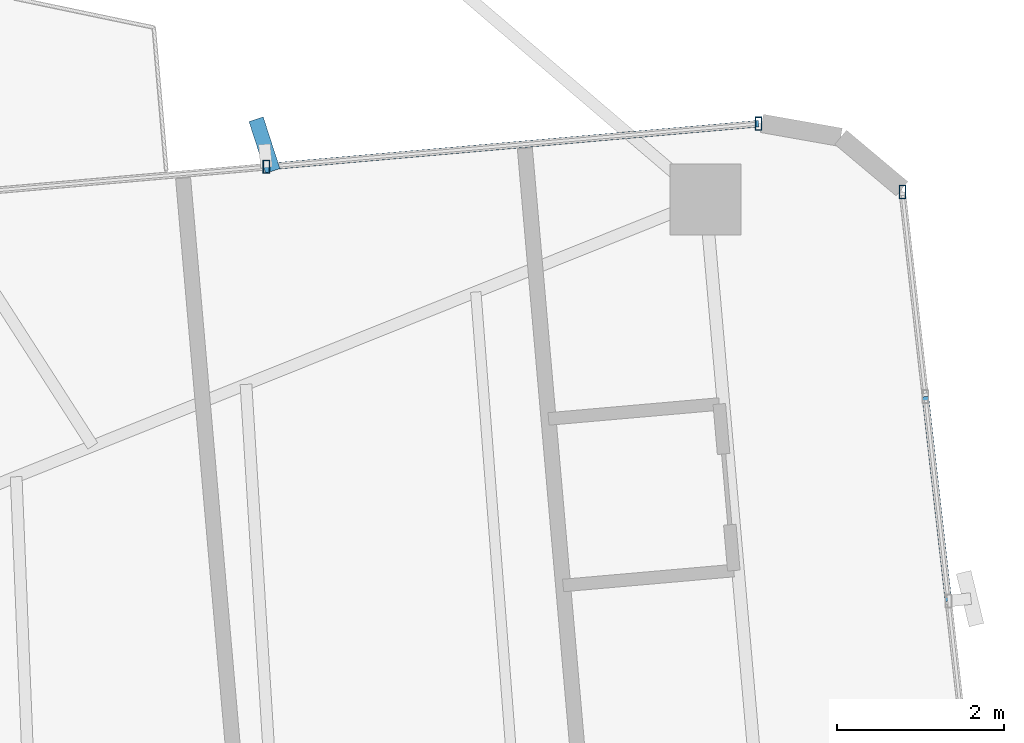
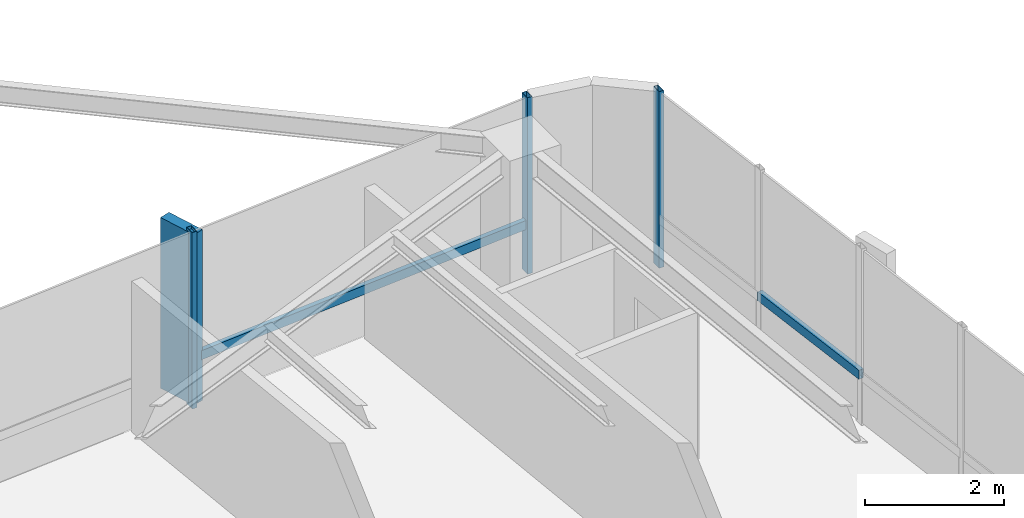
# One storey, part 15 of 24: 6 members, 2 elements without a shape of their own.
"""IFC4 building model written with IfcOpenShell, lengths in metres."""

from ifc_helpers import new_model, si_unit, direction, frame, origin, origin_2d, place, context, subcontext, project, spatial, rectangle, hollow_rectangle, extrude, source, transform, mapped, material, material_profile, profile_set, type_object, element, aggregate, save


model = new_model("IFC4")

# Units and contexts
model_context = context("Model", 3, precision=1e-05, world=origin(), true_north=direction((0.0, 1.0)))
body_context = subcontext(model_context, "Body", "Model", "MODEL_VIEW")
ifc_project = project(units=[si_unit("LENGTHUNIT", "METRE"), si_unit("AREAUNIT", "SQUARE_METRE"), si_unit("VOLUMEUNIT", "CUBIC_METRE"), si_unit("PLANEANGLEUNIT", "RADIAN"), si_unit("MASSUNIT", "GRAM", prefix="KILO")], contexts=[model_context])

# Site, building, storey
site_placement = place(None, origin())
site = spatial("IfcSite", under=ifc_project, at=site_placement, CompositionType="ELEMENT")
building_placement = place(site_placement, origin())
building = spatial("IfcBuilding", under=site, at=building_placement, Name="Sahyath Konkavel Grand Hotel", CompositionType="ELEMENT")
storey_placement = place(building_placement, frame((0.0, 0.0, 181.89990234375)))
storey = spatial("IfcBuildingStorey", under=building, at=storey_placement, Name="L50", CompositionType="ELEMENT", Elevation=181.89990234375)

# Curtain wall, member
ifc_material_1 = material(Name="Anodised Bronze Aluminium & Low-E Glazing", Category="aluminium")
curtain_wall_type = type_object("IfcCurtainWallType", Name="CW-ZONE3", PredefinedType="NOTDEFINED", material=ifc_material_1)
curtain_wall_1_placement = place(storey_placement, origin())
curtain_wall_1 = element("IfcCurtainWall", 1, at=curtain_wall_1_placement, inside=storey, type_object=curtain_wall_type, Name="L50 Unitised Curtain Wall F7", PredefinedType="NOTDEFINED")
ifc_material_2 = material(Name="Warm Buff Sandstone Cladding on Concrete C50/60", Category="masonry")
ifc_material_profile_1 = material_profile(ifc_material_2, rectangle(XDim=0.179931640625, YDim=0.64990234375, at=origin_2d()), Name="FIN 180x650")
ifc_profile_set_1 = profile_set([ifc_material_profile_1], Name="Warm Buff Sandstone Cladding on Concrete C50/60")
member_type_1 = type_object("IfcMemberType", Name="FIN-SANDSTONE-650", PredefinedType="MULLION", material=ifc_profile_set_1)
shared_shape_1 = source(origin(), body_context, "Body", "SweptSolid", [
    extrude(rectangle(XDim=0.179931640625, YDim=0.64990234375, at=origin_2d()), origin(), (0.0, 0.0, 1.0), 3.010009765625),
])
member_1_placement = place(storey_placement, frame((11.677001953125, 7.656982421875, 0.050048828125), z_axis=(0.0, 0.0, 1.0), x_axis=(0.951379596601, 0.308020881065, 0.0)))
member_1 = element("IfcMember", 2, at=member_1_placement, type_object=member_type_1, Name="L50 Sandstone Vertical Solar Fin FIN F7-1", PredefinedType="MULLION", context=body_context, shape_type="MappedRepresentation", body=[
    mapped(shared_shape_1, transform((0.0, 0.0, 0.0), scale=1.0)),
])

curtain_wall_2_placement = place(storey_placement, origin())
curtain_wall_2 = element("IfcCurtainWall", 3, at=curtain_wall_2_placement, inside=storey, type_object=curtain_wall_type, Name="L50 Unitised Curtain Wall F4", PredefinedType="NOTDEFINED")
ifc_material_3 = material(Name="Anodised Bronze Aluminium", Category="aluminium")
ifc_material_profile_2 = material_profile(ifc_material_3, hollow_rectangle(XDim=0.080078125, YDim=0.159912109375, WallThickness=0.006103515625, at=origin_2d()), Name="RHS 160x80x6")
ifc_profile_set_2 = profile_set([ifc_material_profile_2], Name="Anodised Bronze Aluminium")
member_type_2 = type_object("IfcMemberType", Name="CW-MUL-160", PredefinedType="MULLION", material=ifc_profile_set_2)
shared_shape_2 = source(origin(), body_context, "Body", "SweptSolid", [
    extrude(hollow_rectangle(XDim=0.080078125, YDim=0.159912109375, WallThickness=0.006103515625, at=origin_2d()), origin(), (0.0, 0.0, 1.0), 3.110107421875),
])
member_2_placement = place(storey_placement, frame((19.308349609375, 7.094970703125, 0.0), z_axis=(0.0, 0.0, 1.0), x_axis=(1.0, 0.0, 0.0)))
member_2 = element("IfcMember", 4, at=member_2_placement, type_object=member_type_2, Name="L50 Curtain Wall Mullion F4-4", PredefinedType="MULLION", context=body_context, shape_type="MappedRepresentation", body=[
    mapped(shared_shape_2, transform((0.0, 0.0, 0.0), scale=1.0)),
])

# Member
member_3_placement = place(storey_placement, frame((17.58740234375, 7.912841796875, 0.0), z_axis=(0.0, 0.0, 1.0), x_axis=(1.0, 0.0, 0.0)))
member_3 = element("IfcMember", 5, at=member_3_placement, type_object=member_type_2, Name="L50 Curtain Wall Mullion F7-0", PredefinedType="MULLION", context=body_context, shape_type="MappedRepresentation", body=[
    mapped(shared_shape_2, transform((0.0, 0.0, 0.0), scale=1.0)),
])

member_4_placement = place(storey_placement, frame((11.69970703125, 7.39794921875, 0.0), z_axis=(0.0, 0.0, 1.0), x_axis=(1.0, 0.0, 0.0)))
member_4 = element("IfcMember", 6, at=member_4_placement, type_object=member_type_2, Name="L50 Curtain Wall Mullion F7-1", PredefinedType="MULLION", context=body_context, shape_type="MappedRepresentation", body=[
    mapped(shared_shape_2, transform((0.0, 0.0, 0.0), scale=1.0)),
])

ifc_material_profile_3 = material_profile(ifc_material_3, hollow_rectangle(XDim=0.080078125, YDim=0.159912109375, WallThickness=0.006103515625, at=origin_2d()), Name="RHS 160x80x6")
ifc_profile_set_3 = profile_set([ifc_material_profile_3], Name="Anodised Bronze Aluminium")
member_type_3 = type_object("IfcMemberType", Name="CW-TRN-160", PredefinedType="USERDEFINED", material=ifc_profile_set_3)
shared_shape_3 = source(origin(), body_context, "Body", "SweptSolid", [
    extrude(hollow_rectangle(XDim=0.080078125, YDim=0.159912109375, WallThickness=0.006103515625, at=origin_2d()), origin(), (0.0, 0.0, 1.0), 2.461669921875),
])
member_5_placement = place(storey_placement, frame((19.859619140625, 2.201904296875, 0.85009765625), z_axis=(-0.111966154832, 0.993712020744, 0.0), x_axis=(-0.993712020744, -0.111966154832, 0.0)))
member_5 = element("IfcMember", 7, at=member_5_placement, type_object=member_type_3, Name="L50 Curtain Wall Transom F4-2-spandrel", ObjectType="TRANSOM", PredefinedType="USERDEFINED", context=body_context, shape_type="MappedRepresentation", body=[
    mapped(shared_shape_3, transform((0.0, 0.0, 0.0), scale=1.0)),
])

aggregate(curtain_wall_2, [member_2, member_5])

shared_shape_4 = source(origin(), body_context, "Body", "SweptSolid", [
    extrude(hollow_rectangle(XDim=0.080078125, YDim=0.159912109375, WallThickness=0.006103515625, at=origin_2d()), origin(), (0.0, 0.0, 1.0), 5.91015625),
])
member_6_placement = place(storey_placement, frame((17.58740234375, 7.912841796875, 0.85009765625), z_axis=(-0.996197841474, -0.087119806256, 0.0), x_axis=(0.087119806256, -0.996197841474, 0.0)))
member_6 = element("IfcMember", 8, at=member_6_placement, type_object=member_type_3, Name="L50 Curtain Wall Transom F7-0-spandrel", ObjectType="TRANSOM", PredefinedType="USERDEFINED", context=body_context, shape_type="MappedRepresentation", body=[
    mapped(shared_shape_4, transform((0.0, 0.0, 0.0), scale=1.0)),
])

aggregate(curtain_wall_1, [member_3, member_4, member_1, member_6])

save(model, "model.ifc")
